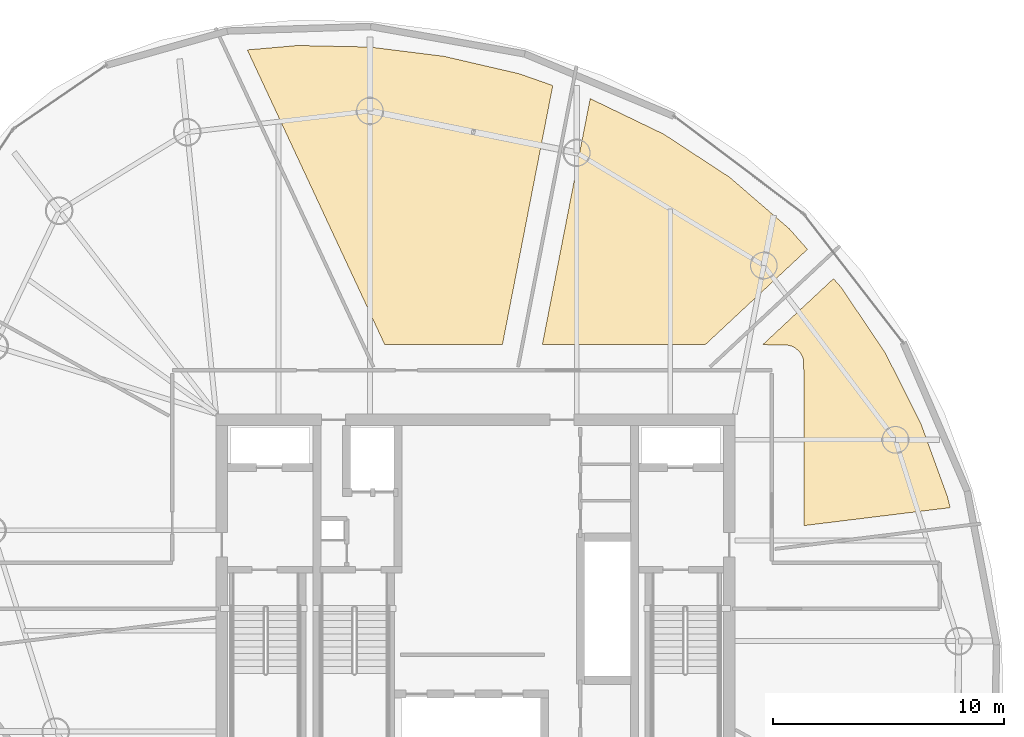
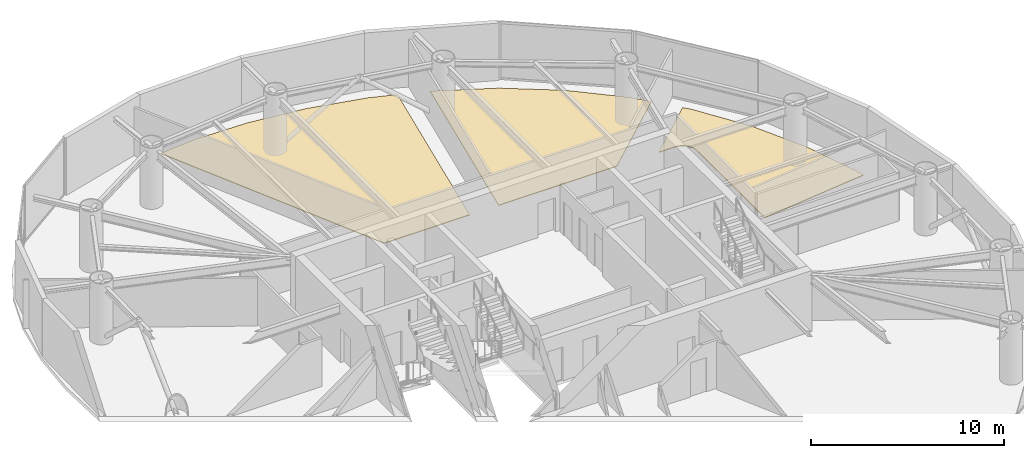
# One storey, part 16 of 16: 3 coverings.
"""IFC4 building model written with IfcOpenShell, lengths in metres."""

from ifc_helpers import new_model, si_unit, direction, frame, origin, place, context, subcontext, project, spatial, polyline, outline, extrude, material, layer, layer_set, type_object, element, save


model = new_model("IFC4")

# Units and contexts
model_context = context("Model", 3, precision=1e-05, world=origin(), true_north=direction((0.0, 1.0)))
body_context = subcontext(model_context, "Body", "Model", "MODEL_VIEW")
ifc_project = project(units=[si_unit("LENGTHUNIT", "METRE"), si_unit("AREAUNIT", "SQUARE_METRE"), si_unit("VOLUMEUNIT", "CUBIC_METRE"), si_unit("PLANEANGLEUNIT", "RADIAN"), si_unit("MASSUNIT", "GRAM", prefix="KILO")], contexts=[model_context])

# Site, building, storey
site_placement = place(None, origin())
site = spatial("IfcSite", under=ifc_project, at=site_placement, CompositionType="ELEMENT")
building_placement = place(site_placement, origin())
building = spatial("IfcBuilding", under=site, at=building_placement, Name="Bramvorn Convention Spire", CompositionType="ELEMENT")
storey_placement = place(building_placement, frame((0.0, 0.0, 209.699951171875)))
storey = spatial("IfcBuildingStorey", under=building, at=storey_placement, Name="L53", CompositionType="ELEMENT", Elevation=209.699951171875)

# Coverings
ifc_material = material(Name="Calcium-Sulphate Raised Access Office Floor", Category="steel")
ifc_layer = layer(ifc_material, 0.044921875)
ifc_layer_set = layer_set([ifc_layer], Name="Calcium-Sulphate Raised Access Office Floor - FLR-RAISED-45")
covering_type = type_object("IfcCoveringType", Name="FLR-RAISED-45", PredefinedType="FLOORING", material=ifc_layer_set)
covering_1_placement = place(storey_placement, origin())
element("IfcCovering", 1, at=covering_1_placement, inside=storey, type_object=covering_type, Name="L53 Design Office Studio A 1 raised floor finish", PredefinedType="FLOORING", context=body_context, shape_type="SweptSolid", body=[
    extrude(outline(polyline([(53.865966796875, 38.926025390625), (53.523193359375, 39.3134765625), (50.45263671875, 36.449951171875), (51.4833984375, 36.44580078125), (51.725341796875, 36.38525390625), (51.872314453125, 36.306640625), (52.05712890625, 36.13916015625), (52.185302734375, 35.92529296875), (52.233642578125, 35.765869140625), (52.25, 28.606201171875), (58.584716796875, 29.3837890625), (58.472412109375, 29.84228515625), (57.309326171875, 33.0380859375), (55.7724609375, 36.09130859375), (53.865966796875, 38.926025390625)])), origin(), (0.0, 0.0, 1.0), 0.045166015625),
])
covering_2_placement = place(storey_placement, origin())
element("IfcCovering", 2, at=covering_2_placement, inside=storey, type_object=covering_type, Name="L53 Design Office Studio B 2 raised floor finish", PredefinedType="FLOORING", context=body_context, shape_type="SweptSolid", body=[
    extrude(outline(polyline([(42.971923828125, 47.123291015625), (40.897216796875, 36.449951171875), (47.9599609375, 36.449951171875), (52.396484375, 40.587158203125), (51.606201171875, 41.480712890625), (49.02392578125, 43.70947265625), (46.166015625, 45.5810546875), (42.971923828125, 47.123291015625)])), origin(), (0.0, 0.0, 1.0), 0.045166015625),
])
covering_3_placement = place(storey_placement, origin())
element("IfcCovering", 3, at=covering_3_placement, inside=storey, type_object=covering_type, Name="L53 Client Meeting Pin-Up Room 1 3 raised floor finish", PredefinedType="FLOORING", context=body_context, shape_type="SweptSolid", body=[
    extrude(outline(polyline([(34.06494140625, 36.449951171875), (39.165283203125, 36.449951171875), (41.350341796875, 47.691162109375), (39.884521484375, 48.20458984375), (36.62109375, 48.96044921875), (33.39208984375, 49.3623046875), (30.28173828125, 49.42724609375), (28.1025390625, 49.236572265625), (34.06494140625, 36.449951171875)])), origin(), (0.0, 0.0, 1.0), 0.045166015625),
])

save(model, "model.ifc")
